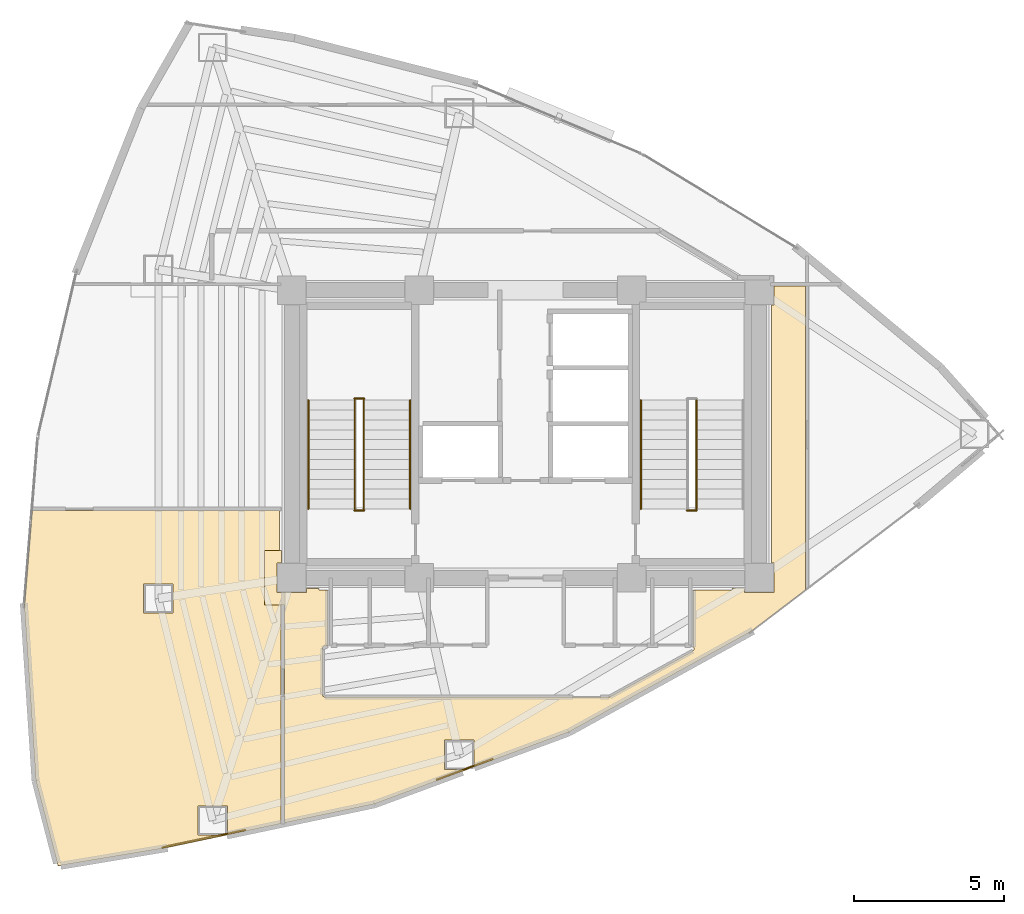
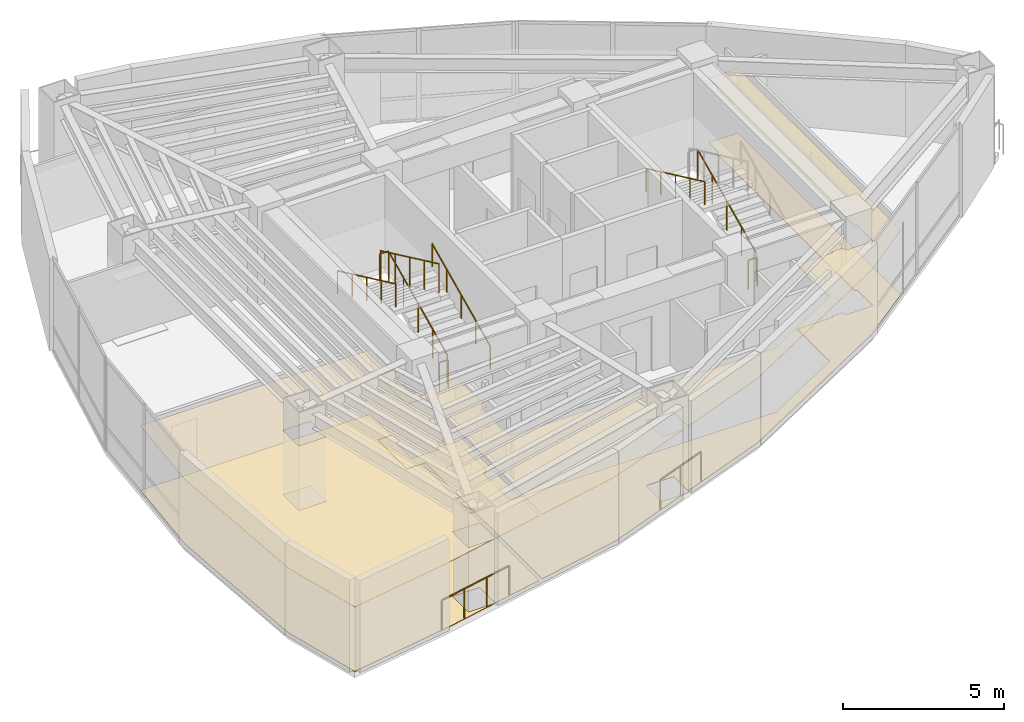
# One storey, part 14 of 15: 11 railings, 4 coverings.
"""IFC4 building model written with IfcOpenShell, lengths in metres."""

from ifc_helpers import new_model, si_unit, direction, frame, origin, origin_2d, place, context, subcontext, project, spatial, polyline, circle, outline, extrude, material, layer, layer_set, type_object, element, save


model = new_model("IFC4")

# Units and contexts
model_context = context("Model", 3, precision=1e-05, world=origin(), true_north=direction((0.0, 1.0)))
body_context = subcontext(model_context, "Body", "Model", "MODEL_VIEW")
ifc_project = project(units=[si_unit("LENGTHUNIT", "METRE"), si_unit("AREAUNIT", "SQUARE_METRE"), si_unit("VOLUMEUNIT", "CUBIC_METRE"), si_unit("PLANEANGLEUNIT", "RADIAN"), si_unit("MASSUNIT", "GRAM", prefix="KILO")], contexts=[model_context])

# Site, building, storey
site_placement = place(None, origin())
site = spatial("IfcSite", under=ifc_project, at=site_placement, CompositionType="ELEMENT")
building_placement = place(site_placement, origin())
building = spatial("IfcBuilding", under=site, at=building_placement, Name="Menara Vayukalpa", CompositionType="ELEMENT")
storey_placement = place(building_placement, frame((0.0, 0.0, 180.360107421875)))
storey = spatial("IfcBuildingStorey", under=building, at=storey_placement, Name="L45", CompositionType="ELEMENT", Elevation=180.360107421875)

# Coverings
ifc_material_1 = material(Name="Mineral Fibre Acoustic Ceiling Tile", Category="masonry")
ifc_layer_1 = layer(ifc_material_1, 0.02490234375)
ifc_layer_set_1 = layer_set([ifc_layer_1], Name="Mineral Fibre Acoustic Ceiling Tile")
covering_type_1 = type_object("IfcCoveringType", Name="COV-CLG1", PredefinedType="CEILING", material=ifc_layer_set_1)
covering_1_placement = place(storey_placement, frame((0.0, 0.0, 2.449951171875)))
element("IfcCovering", 1, at=covering_1_placement, inside=storey, type_object=covering_type_1, Name="L45 Staff Dining and Pantry Acoustic Ceiling", PredefinedType="CEILING", context=body_context, shape_type="SweptSolid", body=[
    extrude(outline(polyline([(10.0029296875, 7.586181640625), (10.001953125, 7.586181640625), (10.0009765625, 7.586181640625), (10.0, 7.58642578125), (9.9990234375, 7.586669921875), (9.998046875, 7.587158203125), (9.997314453125, 7.587646484375), (9.996337890625, 7.588134765625), (9.99560546875, 7.588623046875), (9.994873046875, 7.58935546875), (9.994140625, 7.590087890625), (9.99365234375, 7.591064453125), (9.9931640625, 7.591796875), (9.992919921875, 7.5927734375), (9.992431640625, 7.59375), (9.255859375, 10.42724609375), (9.255615234375, 10.427978515625), (9.255615234375, 10.428955078125), (8.871826171875, 16.236083984375), (8.871826171875, 16.23779296875), (9.129150390625, 19.430908203125), (9.12939453125, 19.431884765625), (9.129638671875, 19.432861328125), (9.1298828125, 19.43359375), (9.13037109375, 19.4345703125), (9.130859375, 19.435546875), (9.13134765625, 19.436279296875), (9.132080078125, 19.43701171875), (9.1328125, 19.437744140625), (9.133544921875, 19.438232421875), (9.134521484375, 19.438720703125), (9.13525390625, 19.439208984375), (9.13623046875, 19.439697265625), (9.13720703125, 19.439697265625), (9.13818359375, 19.43994140625), (9.13916015625, 19.43994140625), (17.3798828125, 19.43994140625), (17.381103515625, 19.43994140625), (17.382080078125, 19.439697265625), (17.3828125, 19.439697265625), (17.3837890625, 19.439208984375), (17.384765625, 19.438720703125), (17.385498046875, 19.438232421875), (17.38623046875, 19.437744140625), (17.38720703125, 19.43701171875), (17.3876953125, 19.436279296875), (17.38818359375, 19.435546875), (17.388916015625, 19.434814453125), (17.38916015625, 19.433837890625), (17.3896484375, 19.432861328125), (17.389892578125, 19.431884765625), (17.389892578125, 19.430908203125), (17.389892578125, 19.429931640625), (17.389892578125, 18.110107421875), (17.449951171875, 18.110107421875), (17.449951171875, 17.68994140625), (17.31005859375, 17.68994140625), (17.31005859375, 16.7099609375), (18.2900390625, 16.7099609375), (18.2900390625, 16.85009765625), (18.7099609375, 16.85009765625), (18.7099609375, 16.2900390625), (17.43994140625, 16.2900390625), (17.43994140625, 9.002197265625), (17.43994140625, 9.001220703125), (17.439697265625, 9.000244140625), (17.439697265625, 8.999267578125), (17.439208984375, 8.998291015625), (17.438720703125, 8.99755859375), (17.438232421875, 8.99658203125), (17.437744140625, 8.995849609375), (17.43701171875, 8.9951171875), (17.436279296875, 8.994384765625), (17.435546875, 8.993896484375), (17.434814453125, 8.993408203125), (17.433837890625, 8.992919921875), (17.43310546875, 8.99267578125), (17.43212890625, 8.992431640625), (15.644775390625, 8.615478515625), (15.644775390625, 9.58740234375), (14.664794921875, 9.58740234375), (14.664794921875, 8.607421875), (15.60595703125, 8.607421875), (13.646728515625, 8.1943359375), (13.646240234375, 8.194091796875), (10.00390625, 7.586181640625), (10.0029296875, 7.586181640625)]), holes=[polyline([(13.833984375, 17.000732421875), (12.85400390625, 17.000732421875), (12.85400390625, 16.020751953125), (13.833984375, 16.020751953125), (13.833984375, 17.000732421875)])]), origin(), (0.0, 0.0, 1.0), 0.02490234375),
])
covering_2_placement = place(storey_placement, frame((0.0, 0.0, 2.449951171875)))
element("IfcCovering", 2, at=covering_2_placement, inside=storey, type_object=covering_type_1, Name="L45 Staff Dining and Pantry Acoustic Ceiling", PredefinedType="CEILING", context=body_context, shape_type="SweptSolid", body=[
    extrude(outline(polyline([(33.81005859375, 26.31005859375), (33.889892578125, 26.31005859375), (33.889892578125, 26.93994140625), (34.929931640625, 26.93994140625), (34.930908203125, 26.93994140625), (34.931884765625, 26.939697265625), (34.932861328125, 26.939697265625), (34.933837890625, 26.939208984375), (34.934814453125, 26.938720703125), (34.935546875, 26.938232421875), (34.936279296875, 26.937744140625), (34.93701171875, 26.93701171875), (34.937744140625, 26.936279296875), (34.938232421875, 26.935546875), (34.938720703125, 26.934814453125), (34.939208984375, 26.933837890625), (34.939697265625, 26.932861328125), (34.939697265625, 26.931884765625), (34.93994140625, 26.930908203125), (34.93994140625, 26.929931640625), (34.93994140625, 16.81298828125), (34.940185546875, 16.80712890625), (34.941162109375, 16.80126953125), (34.941162109375, 16.80078125), (34.94140625, 16.800048828125), (34.94140625, 16.799072265625), (34.94140625, 16.798095703125), (34.94140625, 16.797119140625), (34.941162109375, 16.796142578125), (34.94091796875, 16.795166015625), (34.940673828125, 16.794189453125), (34.940185546875, 16.79345703125), (34.939697265625, 16.79248046875), (34.93896484375, 16.7919921875), (34.938232421875, 16.791259765625), (34.9375, 16.79052734375), (33.093505859375, 15.38720703125), (33.09228515625, 15.386474609375), (27.041748046875, 12.0498046875), (27.041015625, 12.04931640625), (27.040283203125, 12.049072265625), (23.87939453125, 10.8798828125), (23.87939453125, 11.781494140625), (22.8994140625, 11.781494140625), (22.8994140625, 10.801513671875), (23.66748046875, 10.801513671875), (20.559814453125, 9.652099609375), (20.558349609375, 9.651611328125), (17.572021484375, 9.02197265625), (17.571044921875, 9.02197265625), (17.570068359375, 9.021728515625), (17.569091796875, 9.021728515625), (17.568115234375, 9.02197265625), (17.567138671875, 9.022216796875), (17.566162109375, 9.0224609375), (17.565185546875, 9.02294921875), (17.564453125, 9.0234375), (17.563720703125, 9.02392578125), (17.56298828125, 9.024658203125), (17.562255859375, 9.025390625), (17.561767578125, 9.026123046875), (17.561279296875, 9.027099609375), (17.560791015625, 9.02783203125), (17.560302734375, 9.02880859375), (17.560302734375, 9.02978515625), (17.56005859375, 9.03076171875), (17.56005859375, 9.03173828125), (17.56005859375, 16.2900390625), (16.889892578125, 16.2900390625), (16.889892578125, 18.110107421875), (17.449951171875, 18.110107421875), (17.449951171875, 17.68994140625), (17.31005859375, 17.68994140625), (17.31005859375, 16.7099609375), (18.2900390625, 16.7099609375), (18.2900390625, 16.85009765625), (18.7099609375, 16.85009765625), (18.7099609375, 16.7900390625), (18.97998046875, 16.7900390625), (18.98095703125, 16.7900390625), (18.98193359375, 16.789794921875), (18.98291015625, 16.78955078125), (18.98388671875, 16.789306640625), (18.984619140625, 16.788818359375), (18.985595703125, 16.788330078125), (18.986328125, 16.78759765625), (18.987060546875, 16.787109375), (18.98779296875, 16.786376953125), (18.98828125, 16.78564453125), (18.98876953125, 16.78466796875), (18.9892578125, 16.78369140625), (18.989501953125, 16.782958984375), (18.98974609375, 16.781982421875), (18.989990234375, 16.781005859375), (18.989990234375, 16.780029296875), (18.989990234375, 14.929931640625), (18.989990234375, 14.928955078125), (18.98974609375, 14.927978515625), (18.989501953125, 14.927001953125), (18.9892578125, 14.92626953125), (18.98876953125, 14.92529296875), (18.98828125, 14.92431640625), (18.98779296875, 14.923583984375), (18.987060546875, 14.9228515625), (18.986328125, 14.92236328125), (18.985595703125, 14.921630859375), (18.984619140625, 14.921142578125), (18.98388671875, 14.9208984375), (18.98291015625, 14.92041015625), (18.98193359375, 14.920166015625), (18.98095703125, 14.919921875), (18.97998046875, 14.919921875), (18.900390625, 14.919921875), (18.893310546875, 14.919677734375), (18.88623046875, 14.918701171875), (18.879638671875, 14.9169921875), (18.873291015625, 14.914794921875), (18.866943359375, 14.911865234375), (18.861083984375, 14.908203125), (18.85546875, 14.904052734375), (18.8505859375, 14.8994140625), (18.845947265625, 14.89453125), (18.841796875, 14.888916015625), (18.838134765625, 14.883056640625), (18.835205078125, 14.876708984375), (18.8330078125, 14.870361328125), (18.831298828125, 14.86376953125), (18.830322265625, 14.856689453125), (18.830078125, 14.849609375), (18.830078125, 13.290283203125), (18.830322265625, 13.283203125), (18.831298828125, 13.2763671875), (18.8330078125, 13.269775390625), (18.835205078125, 13.26318359375), (18.838134765625, 13.257080078125), (18.841796875, 13.251220703125), (18.845947265625, 13.24560546875), (18.8505859375, 13.240478515625), (18.85546875, 13.236083984375), (18.861083984375, 13.231689453125), (18.866943359375, 13.228271484375), (18.873291015625, 13.225341796875), (18.879638671875, 13.222900390625), (18.88623046875, 13.22119140625), (18.893310546875, 13.220458984375), (18.900390625, 13.219970703125), (28.379150390625, 13.219970703125), (28.386474609375, 13.220458984375), (28.393310546875, 13.221435546875), (28.400146484375, 13.22314453125), (28.406982421875, 13.2255859375), (28.413330078125, 13.228759765625), (31.18359375, 14.75634765625), (31.189453125, 14.760009765625), (31.195068359375, 14.764404296875), (31.199951171875, 14.768798828125), (31.20458984375, 14.77392578125), (31.20849609375, 14.779296875), (31.2119140625, 14.785400390625), (31.21484375, 14.791259765625), (31.217041015625, 14.7978515625), (31.21875, 14.804443359375), (31.219482421875, 14.811279296875), (31.219970703125, 14.818115234375), (31.219970703125, 14.849609375), (31.219482421875, 14.856689453125), (31.21875, 14.86376953125), (31.217041015625, 14.870361328125), (31.214599609375, 14.876708984375), (31.2119140625, 14.8828125), (31.211669921875, 14.883056640625), (31.211181640625, 14.8837890625), (31.210693359375, 14.884765625), (31.21044921875, 14.8857421875), (31.210205078125, 14.88671875), (31.2099609375, 14.8876953125), (31.2099609375, 14.888671875), (31.2099609375, 16.780029296875), (31.2099609375, 16.781005859375), (31.210205078125, 16.781982421875), (31.21044921875, 16.782958984375), (31.210693359375, 16.78369140625), (31.211181640625, 16.78466796875), (31.211669921875, 16.78564453125), (31.21240234375, 16.786376953125), (31.212890625, 16.787109375), (31.213623046875, 16.78759765625), (31.21435546875, 16.788330078125), (31.21533203125, 16.788818359375), (31.21630859375, 16.789306640625), (31.217041015625, 16.78955078125), (31.218017578125, 16.789794921875), (31.218994140625, 16.7900390625), (31.219970703125, 16.7900390625), (32.489990234375, 16.7900390625), (32.489990234375, 16.85009765625), (32.909912109375, 16.85009765625), (32.909912109375, 16.7099609375), (33.889892578125, 16.7099609375), (33.889892578125, 17.68994140625), (33.81005859375, 17.68994140625), (33.81005859375, 26.31005859375)])), origin(), (0.0, 0.0, 1.0), 0.02490234375),
])
ifc_material_2 = material(Name="Porcelain Stoneware Floor Tile", Category="masonry")
ifc_layer_2 = layer(ifc_material_2, 0.02001953125)
ifc_layer_set_2 = layer_set([ifc_layer_2], Name="Porcelain Stoneware Floor Tile")
covering_type_2 = type_object("IfcCoveringType", Name="COV-FLR1", PredefinedType="FLOORING", material=ifc_layer_set_2)
covering_3_placement = place(storey_placement, origin())
element("IfcCovering", 3, at=covering_3_placement, inside=storey, type_object=covering_type_2, Name="L45 Staff Dining and Pantry Porcelain Flooring", PredefinedType="FLOORING", context=body_context, shape_type="SweptSolid", body=[
    extrude(outline(polyline([(10.0029296875, 7.586181640625), (10.001953125, 7.586181640625), (10.0009765625, 7.586181640625), (10.0, 7.58642578125), (9.9990234375, 7.586669921875), (9.998046875, 7.587158203125), (9.997314453125, 7.587646484375), (9.996337890625, 7.588134765625), (9.99560546875, 7.588623046875), (9.994873046875, 7.58935546875), (9.994140625, 7.590087890625), (9.99365234375, 7.591064453125), (9.9931640625, 7.591796875), (9.992919921875, 7.5927734375), (9.992431640625, 7.59375), (9.255859375, 10.42724609375), (9.255615234375, 10.427978515625), (9.255615234375, 10.428955078125), (8.871826171875, 16.236083984375), (8.871826171875, 16.23779296875), (9.129150390625, 19.430908203125), (9.12939453125, 19.431884765625), (9.129638671875, 19.432861328125), (9.1298828125, 19.43359375), (9.13037109375, 19.4345703125), (9.130859375, 19.435546875), (9.13134765625, 19.436279296875), (9.132080078125, 19.43701171875), (9.1328125, 19.437744140625), (9.133544921875, 19.438232421875), (9.134521484375, 19.438720703125), (9.13525390625, 19.439208984375), (9.13623046875, 19.439697265625), (9.13720703125, 19.439697265625), (9.13818359375, 19.43994140625), (9.13916015625, 19.43994140625), (17.3798828125, 19.43994140625), (17.381103515625, 19.43994140625), (17.382080078125, 19.439697265625), (17.3828125, 19.439697265625), (17.3837890625, 19.439208984375), (17.384765625, 19.438720703125), (17.385498046875, 19.438232421875), (17.38623046875, 19.437744140625), (17.38720703125, 19.43701171875), (17.3876953125, 19.436279296875), (17.38818359375, 19.435546875), (17.388916015625, 19.434814453125), (17.38916015625, 19.433837890625), (17.3896484375, 19.432861328125), (17.389892578125, 19.431884765625), (17.389892578125, 19.430908203125), (17.389892578125, 19.429931640625), (17.389892578125, 18.110107421875), (17.449951171875, 18.110107421875), (17.449951171875, 17.68994140625), (17.31005859375, 17.68994140625), (17.31005859375, 16.7099609375), (18.2900390625, 16.7099609375), (18.2900390625, 16.85009765625), (18.7099609375, 16.85009765625), (18.7099609375, 16.2900390625), (17.43994140625, 16.2900390625), (17.43994140625, 9.002197265625), (17.43994140625, 9.001220703125), (17.439697265625, 9.000244140625), (17.439697265625, 8.999267578125), (17.439208984375, 8.998291015625), (17.438720703125, 8.99755859375), (17.438232421875, 8.99658203125), (17.437744140625, 8.995849609375), (17.43701171875, 8.9951171875), (17.436279296875, 8.994384765625), (17.435546875, 8.993896484375), (17.434814453125, 8.993408203125), (17.433837890625, 8.992919921875), (17.43310546875, 8.99267578125), (17.43212890625, 8.992431640625), (15.644775390625, 8.615478515625), (15.644775390625, 9.58740234375), (14.664794921875, 9.58740234375), (14.664794921875, 8.607421875), (15.60595703125, 8.607421875), (13.646728515625, 8.1943359375), (13.646240234375, 8.194091796875), (10.00390625, 7.586181640625), (10.0029296875, 7.586181640625)]), holes=[polyline([(13.833984375, 17.000732421875), (12.85400390625, 17.000732421875), (12.85400390625, 16.020751953125), (13.833984375, 16.020751953125), (13.833984375, 17.000732421875)])]), origin(), (0.0, 0.0, 1.0), 0.019775390625),
])
covering_4_placement = place(storey_placement, origin())
element("IfcCovering", 4, at=covering_4_placement, inside=storey, type_object=covering_type_2, Name="L45 Staff Dining and Pantry Porcelain Flooring", PredefinedType="FLOORING", context=body_context, shape_type="SweptSolid", body=[
    extrude(outline(polyline([(33.81005859375, 26.31005859375), (33.889892578125, 26.31005859375), (33.889892578125, 26.93994140625), (34.929931640625, 26.93994140625), (34.930908203125, 26.93994140625), (34.931884765625, 26.939697265625), (34.932861328125, 26.939697265625), (34.933837890625, 26.939208984375), (34.934814453125, 26.938720703125), (34.935546875, 26.938232421875), (34.936279296875, 26.937744140625), (34.93701171875, 26.93701171875), (34.937744140625, 26.936279296875), (34.938232421875, 26.935546875), (34.938720703125, 26.934814453125), (34.939208984375, 26.933837890625), (34.939697265625, 26.932861328125), (34.939697265625, 26.931884765625), (34.93994140625, 26.930908203125), (34.93994140625, 26.929931640625), (34.93994140625, 16.81298828125), (34.940185546875, 16.80712890625), (34.941162109375, 16.80126953125), (34.941162109375, 16.80078125), (34.94140625, 16.800048828125), (34.94140625, 16.799072265625), (34.94140625, 16.798095703125), (34.94140625, 16.797119140625), (34.941162109375, 16.796142578125), (34.94091796875, 16.795166015625), (34.940673828125, 16.794189453125), (34.940185546875, 16.79345703125), (34.939697265625, 16.79248046875), (34.93896484375, 16.7919921875), (34.938232421875, 16.791259765625), (34.9375, 16.79052734375), (33.093505859375, 15.38720703125), (33.09228515625, 15.386474609375), (27.041748046875, 12.0498046875), (27.041015625, 12.04931640625), (27.040283203125, 12.049072265625), (23.87939453125, 10.8798828125), (23.87939453125, 11.781494140625), (22.8994140625, 11.781494140625), (22.8994140625, 10.801513671875), (23.66748046875, 10.801513671875), (20.559814453125, 9.652099609375), (20.558349609375, 9.651611328125), (17.572021484375, 9.02197265625), (17.571044921875, 9.02197265625), (17.570068359375, 9.021728515625), (17.569091796875, 9.021728515625), (17.568115234375, 9.02197265625), (17.567138671875, 9.022216796875), (17.566162109375, 9.0224609375), (17.565185546875, 9.02294921875), (17.564453125, 9.0234375), (17.563720703125, 9.02392578125), (17.56298828125, 9.024658203125), (17.562255859375, 9.025390625), (17.561767578125, 9.026123046875), (17.561279296875, 9.027099609375), (17.560791015625, 9.02783203125), (17.560302734375, 9.02880859375), (17.560302734375, 9.02978515625), (17.56005859375, 9.03076171875), (17.56005859375, 9.03173828125), (17.56005859375, 16.2900390625), (16.889892578125, 16.2900390625), (16.889892578125, 18.110107421875), (17.449951171875, 18.110107421875), (17.449951171875, 17.68994140625), (17.31005859375, 17.68994140625), (17.31005859375, 16.7099609375), (18.2900390625, 16.7099609375), (18.2900390625, 16.85009765625), (18.7099609375, 16.85009765625), (18.7099609375, 16.7900390625), (18.97998046875, 16.7900390625), (18.98095703125, 16.7900390625), (18.98193359375, 16.789794921875), (18.98291015625, 16.78955078125), (18.98388671875, 16.789306640625), (18.984619140625, 16.788818359375), (18.985595703125, 16.788330078125), (18.986328125, 16.78759765625), (18.987060546875, 16.787109375), (18.98779296875, 16.786376953125), (18.98828125, 16.78564453125), (18.98876953125, 16.78466796875), (18.9892578125, 16.78369140625), (18.989501953125, 16.782958984375), (18.98974609375, 16.781982421875), (18.989990234375, 16.781005859375), (18.989990234375, 16.780029296875), (18.989990234375, 14.929931640625), (18.989990234375, 14.928955078125), (18.98974609375, 14.927978515625), (18.989501953125, 14.927001953125), (18.9892578125, 14.92626953125), (18.98876953125, 14.92529296875), (18.98828125, 14.92431640625), (18.98779296875, 14.923583984375), (18.987060546875, 14.9228515625), (18.986328125, 14.92236328125), (18.985595703125, 14.921630859375), (18.984619140625, 14.921142578125), (18.98388671875, 14.9208984375), (18.98291015625, 14.92041015625), (18.98193359375, 14.920166015625), (18.98095703125, 14.919921875), (18.97998046875, 14.919921875), (18.900390625, 14.919921875), (18.893310546875, 14.919677734375), (18.88623046875, 14.918701171875), (18.879638671875, 14.9169921875), (18.873291015625, 14.914794921875), (18.866943359375, 14.911865234375), (18.861083984375, 14.908203125), (18.85546875, 14.904052734375), (18.8505859375, 14.8994140625), (18.845947265625, 14.89453125), (18.841796875, 14.888916015625), (18.838134765625, 14.883056640625), (18.835205078125, 14.876708984375), (18.8330078125, 14.870361328125), (18.831298828125, 14.86376953125), (18.830322265625, 14.856689453125), (18.830078125, 14.849609375), (18.830078125, 13.290283203125), (18.830322265625, 13.283203125), (18.831298828125, 13.2763671875), (18.8330078125, 13.269775390625), (18.835205078125, 13.26318359375), (18.838134765625, 13.257080078125), (18.841796875, 13.251220703125), (18.845947265625, 13.24560546875), (18.8505859375, 13.240478515625), (18.85546875, 13.236083984375), (18.861083984375, 13.231689453125), (18.866943359375, 13.228271484375), (18.873291015625, 13.225341796875), (18.879638671875, 13.222900390625), (18.88623046875, 13.22119140625), (18.893310546875, 13.220458984375), (18.900390625, 13.219970703125), (28.379150390625, 13.219970703125), (28.386474609375, 13.220458984375), (28.393310546875, 13.221435546875), (28.400146484375, 13.22314453125), (28.406982421875, 13.2255859375), (28.413330078125, 13.228759765625), (31.18359375, 14.75634765625), (31.189453125, 14.760009765625), (31.195068359375, 14.764404296875), (31.199951171875, 14.768798828125), (31.20458984375, 14.77392578125), (31.20849609375, 14.779296875), (31.2119140625, 14.785400390625), (31.21484375, 14.791259765625), (31.217041015625, 14.7978515625), (31.21875, 14.804443359375), (31.219482421875, 14.811279296875), (31.219970703125, 14.818115234375), (31.219970703125, 14.849609375), (31.219482421875, 14.856689453125), (31.21875, 14.86376953125), (31.217041015625, 14.870361328125), (31.214599609375, 14.876708984375), (31.2119140625, 14.8828125), (31.211669921875, 14.883056640625), (31.211181640625, 14.8837890625), (31.210693359375, 14.884765625), (31.21044921875, 14.8857421875), (31.210205078125, 14.88671875), (31.2099609375, 14.8876953125), (31.2099609375, 14.888671875), (31.2099609375, 16.780029296875), (31.2099609375, 16.781005859375), (31.210205078125, 16.781982421875), (31.21044921875, 16.782958984375), (31.210693359375, 16.78369140625), (31.211181640625, 16.78466796875), (31.211669921875, 16.78564453125), (31.21240234375, 16.786376953125), (31.212890625, 16.787109375), (31.213623046875, 16.78759765625), (31.21435546875, 16.788330078125), (31.21533203125, 16.788818359375), (31.21630859375, 16.789306640625), (31.217041015625, 16.78955078125), (31.218017578125, 16.789794921875), (31.218994140625, 16.7900390625), (31.219970703125, 16.7900390625), (32.489990234375, 16.7900390625), (32.489990234375, 16.85009765625), (32.909912109375, 16.85009765625), (32.909912109375, 16.7099609375), (33.889892578125, 16.7099609375), (33.889892578125, 17.68994140625), (33.81005859375, 17.68994140625), (33.81005859375, 26.31005859375)])), origin(), (0.0, 0.0, 1.0), 0.019775390625),
])

# Railings
ifc_material_3 = material(Name="Laminated Glass and Stainless Steel 316 Guardrail", Category="steel")
railing_type_1 = type_object("IfcRailingType", Name="RLG-EXT115", PredefinedType="GUARDRAIL", material=ifc_material_3)
railing_1_placement = place(storey_placement, frame((13.4814453125, 8.2001953125, 0.0)))
element("IfcRailing", 5, at=railing_1_placement, inside=storey, type_object=railing_type_1, Name="L45 Column Corner Spandrel Guardrail 15-1", PredefinedType="GUARDRAIL", context=body_context, shape_type="SweptSolid", body=[
    extrude(circle(Radius=0.02392578125, at=origin_2d()), frame((0.0, 0.0, 1.1259765625), z_axis=(0.978484458883, 0.206320536362, 0.0), x_axis=(-0.206320536362, 0.978484458883, 0.0)), (0.0, 0.0, 1.0), 2.8173828125),
    extrude(circle(Radius=0.02099609375, at=origin_2d()), origin(), (0.0, 0.0, 1.0), 1.101806640625),
    extrude(circle(Radius=0.02099609375, at=origin_2d()), frame((0.9189453125, 0.19384765625, 0.0)), (0.0, 0.0, 1.0), 1.101806640625),
    extrude(circle(Radius=0.02099609375, at=origin_2d()), frame((1.837890625, 0.387451171875, 0.0)), (0.0, 0.0, 1.0), 1.101806640625),
    extrude(circle(Radius=0.02099609375, at=origin_2d()), frame((2.7568359375, 0.581298828125, 0.0)), (0.0, 0.0, 1.0), 1.101806640625),
])
railing_2_placement = place(storey_placement, frame((22.63525390625, 10.46240234375, 0.0)))
element("IfcRailing", 6, at=railing_2_placement, inside=storey, type_object=railing_type_1, Name="L45 Column Corner Spandrel Guardrail 16-1", PredefinedType="GUARDRAIL", context=body_context, shape_type="SweptSolid", body=[
    extrude(circle(Radius=0.02392578125, at=origin_2d()), frame((0.0, 0.0, 1.1259765625), z_axis=(0.937887791782, 0.346938741028, 0.0), x_axis=(-0.346938741028, 0.937887791782, 0.0)), (0.0, 0.0, 1.0), 1.989990234375),
    extrude(circle(Radius=0.02099609375, at=origin_2d()), origin(), (0.0, 0.0, 1.0), 1.101806640625),
    extrude(circle(Radius=0.02099609375, at=origin_2d()), frame((0.93310546875, 0.34521484375, 0.0)), (0.0, 0.0, 1.0), 1.101806640625),
    extrude(circle(Radius=0.02099609375, at=origin_2d()), frame((1.866455078125, 0.6904296875, 0.0)), (0.0, 0.0, 1.0), 1.101806640625),
])
ifc_material_4 = material(Name="Powder-Coated Galvanised Steel Guardrail", Category="steel")
railing_type_2 = type_object("IfcRailingType", Name="RLG-STG110", PredefinedType="GUARDRAIL", material=ifc_material_4)
railing_3_placement = place(storey_placement, frame((20.199951171875, 19.5, 0.15478515625)))
element("IfcRailing", 7, at=railing_3_placement, inside=storey, type_object=railing_type_2, Name="L45 ST-1 stair guard 1", PredefinedType="GUARDRAIL", context=body_context, shape_type="SweptSolid", body=[
    extrude(circle(Radius=0.02392578125, at=origin_2d()), frame((0.0, 0.0, 1.09619140625), z_axis=(0.0, 0.90511648382, 0.425163675209), x_axis=(-1.0, 0.0, 0.0)), (0.0, 0.0, 1.0), 4.010498046875),
    extrude(circle(Radius=0.02099609375, at=origin_2d()), origin(), (0.0, 0.0, 1.0), 1.072021484375),
    extrude(circle(Radius=0.02099609375, at=origin_2d()), frame((0.0, 0.907470703125, 0.42626953125)), (0.0, 0.0, 1.0), 1.072021484375),
    extrude(circle(Radius=0.02099609375, at=origin_2d()), frame((0.0, 1.81494140625, 0.8525390625)), (0.0, 0.0, 1.0), 1.072021484375),
    extrude(circle(Radius=0.02099609375, at=origin_2d()), frame((0.0, 2.722412109375, 1.27880859375)), (0.0, 0.0, 1.0), 1.072021484375),
    extrude(circle(Radius=0.02099609375, at=origin_2d()), frame((0.0, 3.6298828125, 1.705078125)), (0.0, 0.0, 1.0), 1.072021484375),
])
railing_4_placement = place(storey_placement, frame((20.2099609375, 23.179931640625, 1.85986328125)))
element("IfcRailing", 8, at=railing_4_placement, inside=storey, type_object=railing_type_2, Name="L45 ST-1 stair guard 2", PredefinedType="GUARDRAIL", context=body_context, shape_type="SweptSolid", body=[
    extrude(circle(Radius=0.02392578125, at=origin_2d()), frame((0.0, 0.0, 1.09619140625), z_axis=(-1.0, 0.0, 0.0), x_axis=(0.0, -1.0, 0.0)), (0.0, 0.0, 1.0), 0.320068359375),
    extrude(circle(Radius=0.02099609375, at=origin_2d()), origin(), (0.0, 0.0, 1.0), 1.072021484375),
    extrude(circle(Radius=0.02099609375, at=origin_2d()), frame((-0.320068359375, 0.0, 0.0)), (0.0, 0.0, 1.0), 1.072021484375),
])
railing_5_placement = place(storey_placement, frame((19.89990234375, 23.1298828125, 2.014892578125)))
element("IfcRailing", 9, at=railing_5_placement, inside=storey, type_object=railing_type_2, Name="L45 ST-1 stair guard 3", PredefinedType="GUARDRAIL", context=body_context, shape_type="SweptSolid", body=[
    extrude(circle(Radius=0.02392578125, at=origin_2d()), frame((0.0, 0.0, 1.09619140625), z_axis=(0.0, -0.90511648382, 0.425163675209), x_axis=(1.0, 0.0, 0.0)), (0.0, 0.0, 1.0), 4.010498046875),
    extrude(circle(Radius=0.02099609375, at=origin_2d()), origin(), (0.0, 0.0, 1.0), 1.072021484375),
    extrude(circle(Radius=0.02099609375, at=origin_2d()), frame((0.0, -0.907470703125, 0.42626953125)), (0.0, 0.0, 1.0), 1.072021484375),
    extrude(circle(Radius=0.02099609375, at=origin_2d()), frame((0.0, -1.81494140625, 0.8525390625)), (0.0, 0.0, 1.0), 1.072021484375),
    extrude(circle(Radius=0.02099609375, at=origin_2d()), frame((0.0, -2.722412109375, 1.27880859375)), (0.0, 0.0, 1.0), 1.072021484375),
    extrude(circle(Radius=0.02099609375, at=origin_2d()), frame((0.0, -3.6298828125, 1.705078125)), (0.0, 0.0, 1.0), 1.072021484375),
])
railing_6_placement = place(storey_placement, frame((20.2099609375, 19.449951171875, 0.0)))
element("IfcRailing", 10, at=railing_6_placement, inside=storey, type_object=railing_type_2, Name="L45 ST-1 stair guard 4", PredefinedType="GUARDRAIL", context=body_context, shape_type="SweptSolid", body=[
    extrude(circle(Radius=0.02392578125, at=origin_2d()), frame((0.0, 0.0, 1.09619140625), z_axis=(-1.0, 0.0, 0.0), x_axis=(0.0, -1.0, 0.0)), (0.0, 0.0, 1.0), 0.320068359375),
    extrude(circle(Radius=0.02099609375, at=origin_2d()), origin(), (0.0, 0.0, 1.0), 1.072021484375),
    extrude(circle(Radius=0.02099609375, at=origin_2d()), frame((-0.320068359375, 0.0, 0.0)), (0.0, 0.0, 1.0), 1.072021484375),
])
railing_7_placement = place(storey_placement, frame((31.300048828125, 19.5, 0.15478515625)))
element("IfcRailing", 11, at=railing_7_placement, inside=storey, type_object=railing_type_2, Name="L45 ST-2 stair guard 1", PredefinedType="GUARDRAIL", context=body_context, shape_type="SweptSolid", body=[
    extrude(circle(Radius=0.02392578125, at=origin_2d()), frame((0.0, 0.0, 1.09619140625), z_axis=(0.0, 0.90511648382, 0.425163675209), x_axis=(-1.0, 0.0, 0.0)), (0.0, 0.0, 1.0), 4.010498046875),
    extrude(circle(Radius=0.02099609375, at=origin_2d()), origin(), (0.0, 0.0, 1.0), 1.072021484375),
    extrude(circle(Radius=0.02099609375, at=origin_2d()), frame((0.0, 0.907470703125, 0.42626953125)), (0.0, 0.0, 1.0), 1.072021484375),
    extrude(circle(Radius=0.02099609375, at=origin_2d()), frame((0.0, 1.81494140625, 0.8525390625)), (0.0, 0.0, 1.0), 1.072021484375),
    extrude(circle(Radius=0.02099609375, at=origin_2d()), frame((0.0, 2.722412109375, 1.27880859375)), (0.0, 0.0, 1.0), 1.072021484375),
    extrude(circle(Radius=0.02099609375, at=origin_2d()), frame((0.0, 3.6298828125, 1.705078125)), (0.0, 0.0, 1.0), 1.072021484375),
])
railing_8_placement = place(storey_placement, frame((31.31005859375, 19.449951171875, 0.0)))
element("IfcRailing", 12, at=railing_8_placement, inside=storey, type_object=railing_type_2, Name="L45 ST-2 stair guard 4", PredefinedType="GUARDRAIL", context=body_context, shape_type="SweptSolid", body=[
    extrude(circle(Radius=0.02392578125, at=origin_2d()), frame((0.0, 0.0, 1.09619140625), z_axis=(-1.0, 0.0, 0.0), x_axis=(0.0, -1.0, 0.0)), (0.0, 0.0, 1.0), 0.320068359375),
    extrude(circle(Radius=0.02099609375, at=origin_2d()), origin(), (0.0, 0.0, 1.0), 1.072021484375),
    extrude(circle(Radius=0.02099609375, at=origin_2d()), frame((-0.320068359375, 0.0, 0.0)), (0.0, 0.0, 1.0), 1.072021484375),
])
ifc_material_5 = material(Name="Stainless Steel 316 Tubular Handrail", Category="steel")
railing_type_3 = type_object("IfcRailingType", Name="RLG-STH090", PredefinedType="HANDRAIL", material=ifc_material_5)
railing_9_placement = place(storey_placement, frame((21.75, 19.5, 0.15478515625)))
element("IfcRailing", 13, at=railing_9_placement, inside=storey, type_object=railing_type_3, Name="L45 ST-1 stair handrail 1", PredefinedType="HANDRAIL", context=body_context, shape_type="SweptSolid", body=[
    extrude(circle(Radius=0.02392578125, at=origin_2d()), frame((0.0, 0.0, 0.8759765625), z_axis=(0.0, 0.90511648382, 0.425163675209), x_axis=(-1.0, 0.0, 0.0)), (0.0, 0.0, 1.0), 4.010498046875),
    extrude(circle(Radius=0.02099609375, at=origin_2d()), origin(), (0.0, 0.0, 1.0), 0.851806640625),
    extrude(circle(Radius=0.02099609375, at=origin_2d()), frame((0.0, 0.907470703125, 0.42626953125)), (0.0, 0.0, 1.0), 0.851806640625),
    extrude(circle(Radius=0.02099609375, at=origin_2d()), frame((0.0, 1.81494140625, 0.8525390625)), (0.0, 0.0, 1.0), 0.851806640625),
    extrude(circle(Radius=0.02099609375, at=origin_2d()), frame((0.0, 2.722412109375, 1.27880859375)), (0.0, 0.0, 1.0), 0.851806640625),
    extrude(circle(Radius=0.02099609375, at=origin_2d()), frame((0.0, 3.6298828125, 1.705078125)), (0.0, 0.0, 1.0), 0.851806640625),
])
for number, where, name in (
    (14, (18.35009765625, 23.1298828125, 2.014892578125), "L45 ST-1 stair handrail 2"),
    (15, (29.449951171875, 23.1298828125, 2.014892578125), "L45 ST-2 stair handrail 2"),
):
    element("IfcRailing", number, at=place(storey_placement, frame(where)), inside=storey, type_object=railing_type_3, Name=name, PredefinedType="HANDRAIL", context=body_context, shape_type="SweptSolid", body=[
        extrude(circle(Radius=0.02392578125, at=origin_2d()), frame((0.0, 0.0, 0.8759765625), z_axis=(0.0, -0.90511648382, 0.425163675209), x_axis=(1.0, 0.0, 0.0)), (0.0, 0.0, 1.0), 4.010498046875),
        extrude(circle(Radius=0.02099609375, at=origin_2d()), origin(), (0.0, 0.0, 1.0), 0.851806640625),
        extrude(circle(Radius=0.02099609375, at=origin_2d()), frame((0.0, -0.907470703125, 0.42626953125)), (0.0, 0.0, 1.0), 0.851806640625),
        extrude(circle(Radius=0.02099609375, at=origin_2d()), frame((0.0, -1.81494140625, 0.8525390625)), (0.0, 0.0, 1.0), 0.851806640625),
        extrude(circle(Radius=0.02099609375, at=origin_2d()), frame((0.0, -2.722412109375, 1.27880859375)), (0.0, 0.0, 1.0), 0.851806640625),
        extrude(circle(Radius=0.02099609375, at=origin_2d()), frame((0.0, -3.6298828125, 1.705078125)), (0.0, 0.0, 1.0), 0.851806640625),
    ])

save(model, "model.ifc")
